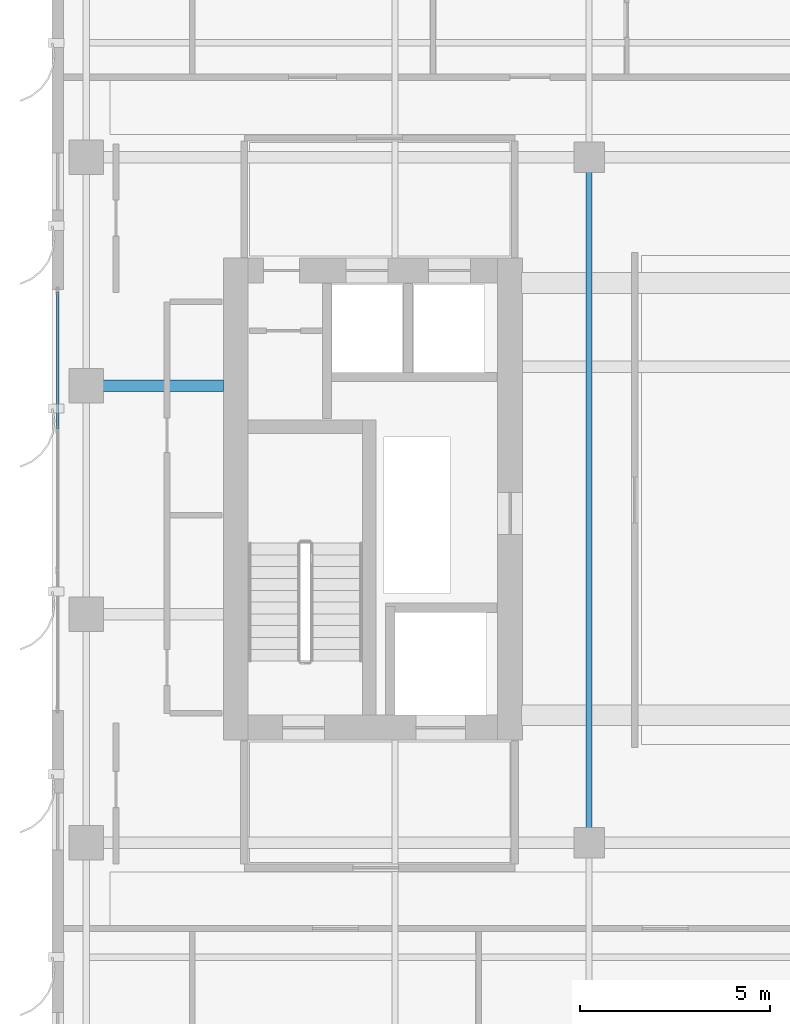
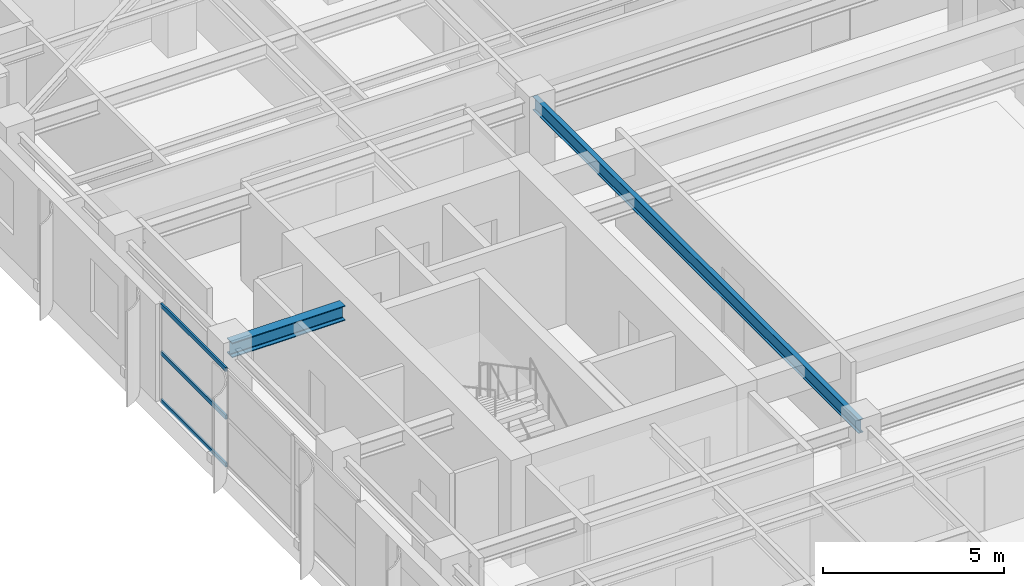
# One storey, part 8 of 25: 3 members, 2 beams, 1 element without a shape of its own.
"""IFC4 building model written with IfcOpenShell, lengths in metres."""

from ifc_helpers import new_model, si_unit, direction, frame, origin, origin_2d, place, context, subcontext, project, spatial, hollow_rectangle, i_section, extrude, source, transform, mapped, material, layer, layer_set, material_profile, profile_set, type_object, element, aggregate, save


model = new_model("IFC4")

# Units and contexts
model_context = context("Model", 3, precision=1e-05, world=origin(), true_north=direction((0.0, 1.0)))
body_context = subcontext(model_context, "Body", "Model", "MODEL_VIEW")
ifc_project = project(units=[si_unit("LENGTHUNIT", "METRE"), si_unit("AREAUNIT", "SQUARE_METRE"), si_unit("VOLUMEUNIT", "CUBIC_METRE"), si_unit("PLANEANGLEUNIT", "RADIAN"), si_unit("MASSUNIT", "GRAM", prefix="KILO")], contexts=[model_context])

# Site, building, storey
site_placement = place(None, origin())
site = spatial("IfcSite", under=ifc_project, at=site_placement, CompositionType="ELEMENT")
building_placement = place(site_placement, origin())
building = spatial("IfcBuilding", under=site, at=building_placement, Name="Khoralis Quay Care Tower", CompositionType="ELEMENT")
storey_placement = place(building_placement, frame((0.0, 0.0, 216.89990234375)))
storey = spatial("IfcBuildingStorey", under=building, at=storey_placement, Name="L57", CompositionType="ELEMENT", Elevation=216.89990234375)

# Beams
ifc_material_1 = material(Name="Steel S355", Category="steel")
ifc_material_profile_1 = material_profile(ifc_material_1, i_section(OverallWidth=0.300048828125, OverallDepth=0.5, WebThickness=0.014404296875, FlangeThickness=0.028076171875, FilletRadius=0.027099609375, at=origin_2d()), Name="Steel S355")
ifc_profile_set_1 = profile_set([ifc_material_profile_1], Name="Steel S355")
beam_type_1 = type_object("IfcBeamType", Name="BM-HEB500", PredefinedType="BEAM", material=ifc_profile_set_1)
shared_shape_1 = source(origin(), body_context, "Body", "SweptSolid", [
    extrude(i_section(OverallWidth=0.300048828125, OverallDepth=0.5, WebThickness=0.014404296875, FlangeThickness=0.028076171875, FilletRadius=0.027099609375, at=origin_2d()), origin(), (0.0, 0.0, 1.0), 3.60205078125),
])
beam_1_placement = place(storey_placement, frame((3.89990234375, 24.0, 3.030029296875), z_axis=(1.0, 0.0, 0.0), x_axis=(0.0, 1.0, 0.0)))
element("IfcBeam", 1, at=beam_1_placement, inside=storey, type_object=beam_type_1, Name="BM-TGXW-L57-240", PredefinedType="BEAM", context=body_context, shape_type="MappedRepresentation", body=[
    mapped(shared_shape_1, transform((0.0, 0.0, 0.0), scale=1.0)),
])
ifc_material_profile_2 = material_profile(ifc_material_1, i_section(OverallWidth=0.154052734375, OverallDepth=0.458984375, WebThickness=0.009033203125, FlangeThickness=0.015380859375, FilletRadius=0.014892578125, at=origin_2d()), Name="Steel S355")
ifc_profile_set_2 = profile_set([ifc_material_profile_2], Name="Steel S355")
beam_type_2 = type_object("IfcBeamType", Name="BM-W460X68", PredefinedType="BEAM", material=ifc_profile_set_2)
shared_shape_2 = source(origin(), body_context, "Body", "SweptSolid", [
    extrude(i_section(OverallWidth=0.154052734375, OverallDepth=0.458984375, WebThickness=0.009033203125, FlangeThickness=0.015380859375, FilletRadius=0.014892578125, at=origin_2d()), origin(), (0.0, 0.0, 1.0), 18.0),
])
beam_2_placement = place(storey_placement, frame((17.10009765625, 12.0, 3.050537109375), z_axis=(0.0, 1.0, 0.0), x_axis=(-1.0, 0.0, 0.0)))
element("IfcBeam", 2, at=beam_2_placement, inside=storey, type_object=beam_type_2, Name="BM-TGSW-L57", PredefinedType="BEAM", context=body_context, shape_type="MappedRepresentation", body=[
    mapped(shared_shape_2, transform((0.0, 0.0, 0.0), scale=1.0)),
])

# Curtain wall, members
ifc_material_2 = material(Name="Pale anodised aluminium", Category="aluminium")
ifc_layer = layer(ifc_material_2, 0.159912109375)
ifc_layer_set = layer_set([ifc_layer], Name="Pale anodised aluminium")
curtain_wall_type = type_object("IfcCurtainWallType", Name="CW-SYS-Z3", PredefinedType="NOTDEFINED", material=ifc_layer_set)
curtain_wall_placement = place(storey_placement, origin())
curtain_wall = element("IfcCurtainWall", 3, at=curtain_wall_placement, inside=storey, type_object=curtain_wall_type, Name="L57 Unitised Curtain Wall CW-L57-P1-E15", PredefinedType="NOTDEFINED")
ifc_material_profile_3 = material_profile(ifc_material_2, hollow_rectangle(XDim=0.06005859375, YDim=0.139892578125, WallThickness=0.00390625, at=origin_2d()), Name="Pale anodised aluminium")
ifc_profile_set_3 = profile_set([ifc_material_profile_3], Name="Pale anodised aluminium")
member_type = type_object("IfcMemberType", Name="CW-TRN-140", PredefinedType="USERDEFINED", material=ifc_profile_set_3)
shared_shape_3 = source(origin(), body_context, "Body", "SweptSolid", [
    extrude(hollow_rectangle(XDim=0.06005859375, YDim=0.139892578125, WallThickness=0.00390625, at=origin_2d()), origin(), (0.0, 0.0, 1.0), 3.58984375),
])
member_1_placement = place(storey_placement, frame((3.14990234375, 26.4599609375, 0.030029296875), z_axis=(0.0, -1.0, 0.0), x_axis=(1.0, 0.0, 0.0)))
member_1 = element("IfcMember", 4, at=member_1_placement, type_object=member_type, Name="CW3 transom 1.1", ObjectType="TRANSOM", PredefinedType="USERDEFINED", context=body_context, shape_type="MappedRepresentation", body=[
    mapped(shared_shape_3, transform((0.0, 0.0, 0.0), scale=1.0)),
])
member_2_placement = place(storey_placement, frame((3.14990234375, 26.4599609375, 1.64013671875), z_axis=(0.0, -1.0, 0.0), x_axis=(1.0, 0.0, 0.0)))
member_2 = element("IfcMember", 5, at=member_2_placement, type_object=member_type, Name="CW3 transom 1.2", ObjectType="TRANSOM", PredefinedType="USERDEFINED", context=body_context, shape_type="MappedRepresentation", body=[
    mapped(shared_shape_3, transform((0.0, 0.0, 0.0), scale=1.0)),
])
member_3_placement = place(storey_placement, frame((3.14990234375, 26.4599609375, 3.25), z_axis=(0.0, -1.0, 0.0), x_axis=(1.0, 0.0, 0.0)))
member_3 = element("IfcMember", 6, at=member_3_placement, type_object=member_type, Name="CW3 transom 1.3", ObjectType="TRANSOM", PredefinedType="USERDEFINED", context=body_context, shape_type="MappedRepresentation", body=[
    mapped(shared_shape_3, transform((0.0, 0.0, 0.0), scale=1.0)),
])
aggregate(curtain_wall, [member_1, member_2, member_3])

save(model, "model.ifc")
